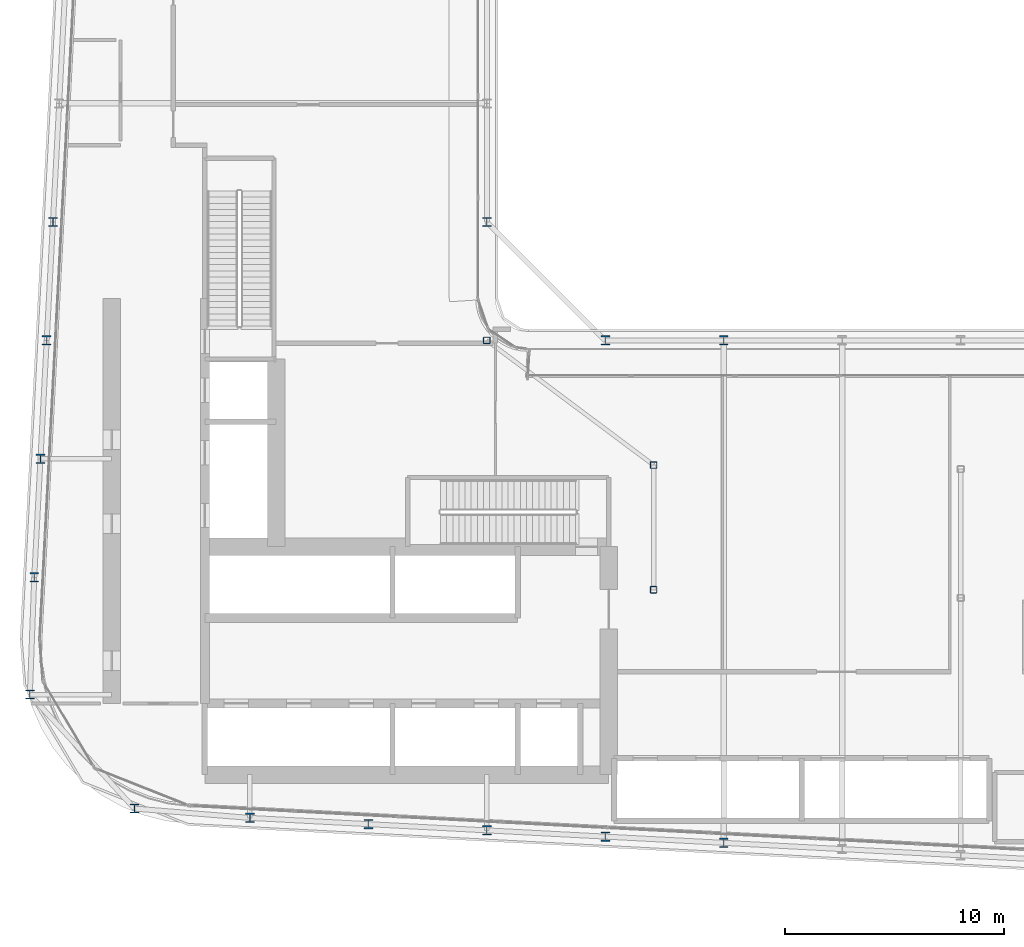
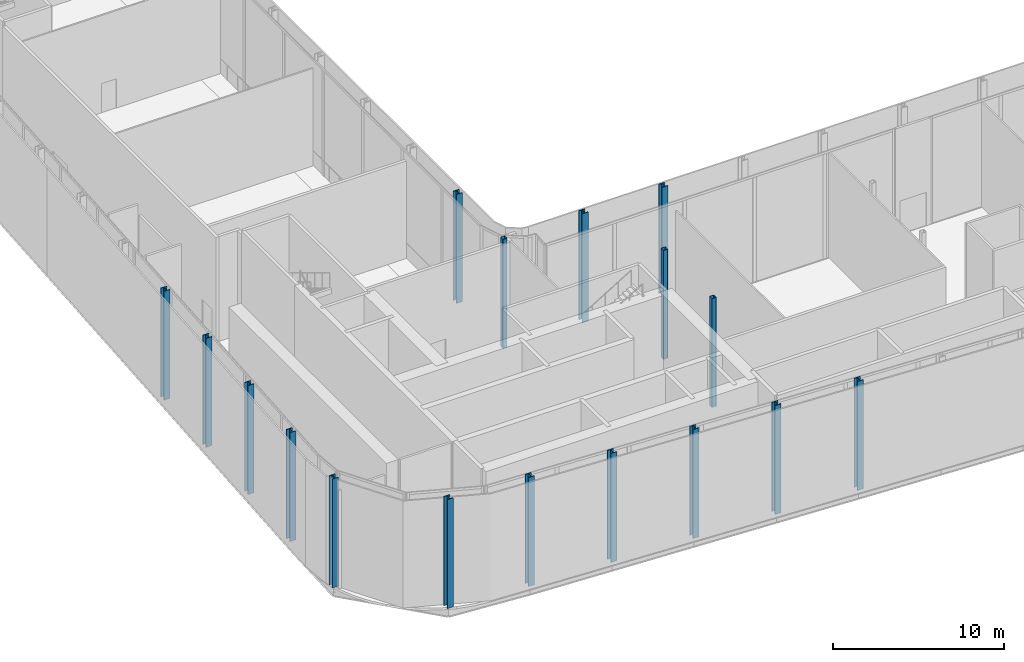
# One storey, part 1 of 37: 17 columns.
"""IFC4 building model written with IfcOpenShell, lengths in metres."""

from ifc_helpers import new_model, si_unit, direction, frame, origin, origin_2d, place, context, subcontext, project, spatial, hollow_rectangle, i_section, extrude, material, material_profile, profile_set, type_object, element, save


model = new_model("IFC4")

# Units and contexts
model_context = context("Model", 3, precision=1e-05, world=origin(), true_north=direction((0.0, 1.0)))
body_context = subcontext(model_context, "Body", "Model", "MODEL_VIEW")
ifc_project = project(units=[si_unit("LENGTHUNIT", "METRE"), si_unit("AREAUNIT", "SQUARE_METRE"), si_unit("VOLUMEUNIT", "CUBIC_METRE"), si_unit("PLANEANGLEUNIT", "RADIAN"), si_unit("MASSUNIT", "GRAM", prefix="KILO")], contexts=[model_context])

# Site, building, storey
site_placement = place(None, origin())
site = spatial("IfcSite", under=ifc_project, at=site_placement, CompositionType="ELEMENT")
building_placement = place(site_placement, origin())
building = spatial("IfcBuilding", under=site, at=building_placement, Name="Kheshtan School and Residences Tower", CompositionType="ELEMENT")
storey_placement = place(building_placement, frame((0.0, 0.0, 144.800048828125)))
storey = spatial("IfcBuildingStorey", under=building, at=storey_placement, Name="L34", CompositionType="ELEMENT", Elevation=144.800048828125)

# Columns
ifc_material_1 = material(Name="Steel ASTM A992 Grade 50", Category="steel")
ifc_material_profile_1 = material_profile(ifc_material_1, i_section(OverallWidth=0.408935546875, OverallDepth=0.425048828125, WebThickness=0.03271484375, FlangeThickness=0.052490234375, FilletRadius=0.0126953125, at=origin_2d()), Name="W360x421")
ifc_profile_set_1 = profile_set([ifc_material_profile_1], Name="Steel ASTM A992 Grade 50")
column_type_1 = type_object("IfcColumnType", Name="Column C3 W360x421 ASTM A992 Grade 50", PredefinedType="COLUMN", material=ifc_profile_set_1)
for number, where, z_axis, x_axis, name in (
    (1, (58.39990234375, 22.695068359375, 0.0), (0.0, 0.0, 1.0), (1.0, 0.0, 0.0), "Column C018"),
    (2, (53.0, 22.97998046875, 0.0), (0.0, 0.0, 1.0), (1.0, 0.0, 0.0), "Column C019"),
    (3, (47.60009765625, 23.263916015625, 0.0), (0.0, 0.0, 1.0), (1.0, 0.0, 0.0), "Column C020"),
    (4, (42.199951171875, 23.548095703125, 0.0), (0.0, 0.0, 1.0), (1.0, 0.0, 0.0), "Column C021"),
    (5, (36.800048828125, 23.83203125, 0.0), (0.0, 0.0, 1.0), (1.0, 0.0, 0.0), "Column C022"),
    (6, (31.5419921875, 24.257080078125, 0.0), (0.0, 0.0, 1.0), (1.0, 0.0, 0.0), "Column C025"),
    (7, (26.76904296875, 29.4541015625, 0.0), (0.0, 0.0, 1.0), (1.0, 0.0, 0.0), "Column C038"),
    (8, (26.968994140625, 34.800048828125, 0.0), (0.0, 0.0, 1.0), (1.0, 0.0, 0.0), "Column C052"),
    (9, (27.2529296875, 40.199951171875, 0.0), (0.0, 0.0, 1.0), (1.0, 0.0, 0.0), "Column C056"),
    (10, (27.537109375, 45.60009765625, 0.0), (0.0, 0.0, 1.0), (1.0, 0.0, 0.0), "Column C059"),
    (11, (53.0, 45.60009765625, 0.0), (0.0, 0.0, 1.0), (1.0, 0.0, 0.0), "Column C061"),
    (12, (58.39990234375, 45.60009765625, 0.0), (0.0, 0.0, 1.0), (1.0, 0.0, 0.0), "Column C062"),
    (13, (27.822021484375, 51.0, 0.0), (0.0, 0.0, 1.0), (1.0, 0.0, 0.0), "Column C078"),
    (14, (47.60009765625, 51.0, 0.0), (0.0, 0.0, 1.0), (1.0, 0.0, 0.0), "Column C079"),
):
    element("IfcColumn", number, at=place(storey_placement, frame(where, z_axis=z_axis, x_axis=x_axis)), inside=storey, type_object=column_type_1, Name=name, PredefinedType="COLUMN", context=body_context, shape_type="SweptSolid", body=[
        extrude(i_section(OverallWidth=0.408935546875, OverallDepth=0.425048828125, WebThickness=0.03271484375, FlangeThickness=0.052490234375, FilletRadius=0.0126953125, at=origin_2d()), origin(), (0.0, 0.0, 1.0), 7.800048828125),
    ])
ifc_material_2 = material(Name="Steel ASTM A500 Grade C", Category="steel")
ifc_material_profile_2 = material_profile(ifc_material_2, hollow_rectangle(XDim=0.304931640625, YDim=0.304931640625, WallThickness=0.015869140625, InnerFilletRadius=0.015869140625, OuterFilletRadius=0.03173828125, at=origin_2d()), Name="HSS 305x305x15.9")
ifc_profile_set_2 = profile_set([ifc_material_profile_2], Name="Steel ASTM A500 Grade C")
column_type_2 = type_object("IfcColumnType", Name="Column IC2 HSS 305x305x15.9 ASTM A500 Grade C", PredefinedType="COLUMN", material=ifc_profile_set_2)
for number, where, z_axis, x_axis, name in (
    (15, (55.199951171875, 34.23193359375, 0.0), (0.0, 0.0, 1.0), (1.0, 0.0, 0.0), "Column C051"),
    (16, (55.199951171875, 39.916015625, 0.0), (0.0, 0.0, 1.0), (1.0, 0.0, 0.0), "Column C055"),
    (17, (47.60009765625, 45.60009765625, 0.0), (0.0, 0.0, 1.0), (1.0, 0.0, 0.0), "Column C060"),
):
    element("IfcColumn", number, at=place(storey_placement, frame(where, z_axis=z_axis, x_axis=x_axis)), inside=storey, type_object=column_type_2, Name=name, PredefinedType="COLUMN", context=body_context, shape_type="SweptSolid", body=[
        extrude(hollow_rectangle(XDim=0.304931640625, YDim=0.304931640625, WallThickness=0.015869140625, InnerFilletRadius=0.015869140625, OuterFilletRadius=0.03173828125, at=origin_2d()), origin(), (0.0, 0.0, 1.0), 7.800048828125),
    ])

save(model, "model.ifc")
